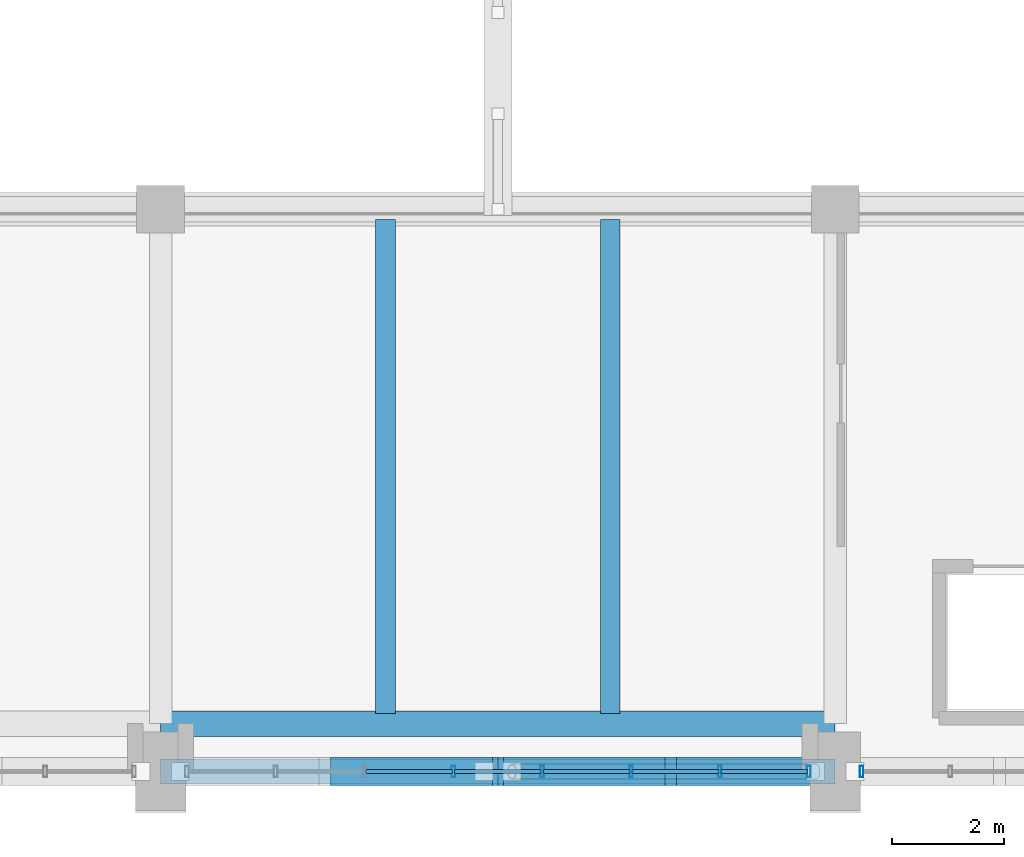
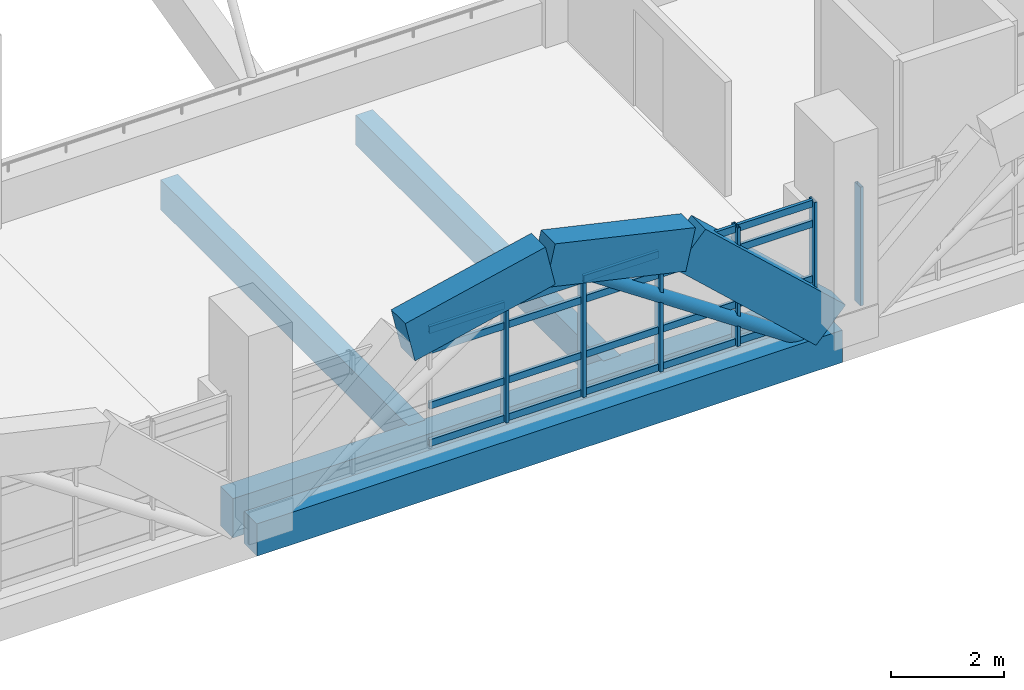
# One storey, part 36 of 161: 27 members, 7 beams, 2 elements without a shape of their own.
"""IFC4 building model written with IfcOpenShell, lengths in metres."""

from ifc_helpers import new_model, si_unit, direction, frame, origin, origin_2d, place, context, subcontext, project, spatial, rectangle, hollow_rectangle, hollow_circle, extrude, material, layer, layer_set, material_profile, profile_set, type_object, element, aggregate, save


model = new_model("IFC4")

# Units and contexts
model_context = context("Model", 3, precision=1e-05, world=origin(), true_north=direction((0.0, 1.0)))
body_context = subcontext(model_context, "Body", "Model", "MODEL_VIEW")
ifc_project = project(units=[si_unit("LENGTHUNIT", "METRE"), si_unit("AREAUNIT", "SQUARE_METRE"), si_unit("VOLUMEUNIT", "CUBIC_METRE"), si_unit("PLANEANGLEUNIT", "RADIAN"), si_unit("MASSUNIT", "GRAM", prefix="KILO")], contexts=[model_context])

# Site, building, storey
site_placement = place(None, origin())
site = spatial("IfcSite", under=ifc_project, at=site_placement, CompositionType="ELEMENT")
building_placement = place(site_placement, origin())
building = spatial("IfcBuilding", under=site, at=building_placement, Name="Mersad Railyard Sports Hall", CompositionType="ELEMENT")
storey_placement = place(building_placement, frame((0.0, 0.0, 4.800048828125)))
storey = spatial("IfcBuildingStorey", under=building, at=storey_placement, Name="L01", CompositionType="ELEMENT", Elevation=4.800048828125)

# Curtain wall, members
ifc_material_1 = material(Name="Aluminium 6063-T6", Category="aluminium")
ifc_layer = layer(ifc_material_1, 0.199951171875)
ifc_layer_set = layer_set([ifc_layer], Name="Aluminium 6063-T6")
curtain_wall_type = type_object("IfcCurtainWallType", Name="ARC-CW-CW02", PredefinedType="USERDEFINED", material=ifc_layer_set)
curtain_wall_1_placement = place(storey_placement, origin())
curtain_wall_1 = element("IfcCurtainWall", 1, at=curtain_wall_1_placement, inside=storey, type_object=curtain_wall_type, Name="Curtain wall CW02-0017", ObjectType="CURTAIN WALL", PredefinedType="USERDEFINED")
ifc_material_profile_1 = material_profile(ifc_material_1, hollow_rectangle(XDim=0.06494140625, YDim=0.199951171875, WallThickness=0.0048828125, at=origin_2d()), Name="AL MULLION 65x200x5")
ifc_profile_set_1 = profile_set([ifc_material_profile_1], Name="Aluminium 6063-T6")
member_type_1 = type_object("IfcMemberType", Name="ARC-CW-MUL02", PredefinedType="MULLION", material=ifc_profile_set_1)
member_1_placement = place(storey_placement, frame((78.530029296875, 3.5, -0.02001953125), z_axis=(0.0, 0.0, 1.0), x_axis=(1.0, 0.0, 0.0)))
member_1 = element("IfcMember", 2, at=member_1_placement, type_object=member_type_1, Name="CW02 Mullion 1", PredefinedType="MULLION", context=body_context, shape_type="SweptSolid", body=[
    extrude(hollow_rectangle(XDim=0.06494140625, YDim=0.199951171875, WallThickness=0.0048828125, at=origin_2d()), origin(), (0.0, 0.0, 1.0), 2.570068359375),
])
member_2_placement = place(storey_placement, frame((76.949951171875, 3.5, -0.02001953125), z_axis=(0.0, 0.0, 1.0), x_axis=(1.0, 0.0, 0.0)))
member_2 = element("IfcMember", 3, at=member_2_placement, type_object=member_type_1, Name="CW02 Mullion 2", PredefinedType="MULLION", context=body_context, shape_type="SweptSolid", body=[
    extrude(hollow_rectangle(XDim=0.06494140625, YDim=0.199951171875, WallThickness=0.0048828125, at=origin_2d()), origin(), (0.0, 0.0, 1.0), 2.570068359375),
])
member_3_placement = place(storey_placement, frame((75.3701171875, 3.5, -0.02001953125), z_axis=(0.0, 0.0, 1.0), x_axis=(1.0, 0.0, 0.0)))
member_3 = element("IfcMember", 4, at=member_3_placement, type_object=member_type_1, Name="CW02 Mullion 3", PredefinedType="MULLION", context=body_context, shape_type="SweptSolid", body=[
    extrude(hollow_rectangle(XDim=0.06494140625, YDim=0.199951171875, WallThickness=0.0048828125, at=origin_2d()), origin(), (0.0, 0.0, 1.0), 2.570068359375),
])
member_4_placement = place(storey_placement, frame((73.7900390625, 3.5, -0.02001953125), z_axis=(0.0, 0.0, 1.0), x_axis=(1.0, 0.0, 0.0)))
member_4 = element("IfcMember", 5, at=member_4_placement, type_object=member_type_1, Name="CW02 Mullion 4", PredefinedType="MULLION", context=body_context, shape_type="SweptSolid", body=[
    extrude(hollow_rectangle(XDim=0.06494140625, YDim=0.199951171875, WallThickness=0.0048828125, at=origin_2d()), origin(), (0.0, 0.0, 1.0), 2.570068359375),
])
member_5_placement = place(storey_placement, frame((72.2099609375, 3.5, -0.02001953125), z_axis=(0.0, 0.0, 1.0), x_axis=(1.0, 0.0, 0.0)))
member_5 = element("IfcMember", 6, at=member_5_placement, type_object=member_type_1, Name="CW02 Mullion 5", PredefinedType="MULLION", context=body_context, shape_type="SweptSolid", body=[
    extrude(hollow_rectangle(XDim=0.06494140625, YDim=0.199951171875, WallThickness=0.0048828125, at=origin_2d()), origin(), (0.0, 0.0, 1.0), 2.570068359375),
])

# Curtain wall, member
curtain_wall_2_placement = place(storey_placement, origin())
curtain_wall_2 = element("IfcCurtainWall", 7, at=curtain_wall_2_placement, inside=storey, type_object=curtain_wall_type, Name="Curtain wall CW02-0020", ObjectType="CURTAIN WALL", PredefinedType="USERDEFINED")
member_6_placement = place(storey_placement, frame((79.469970703125, 3.5, -0.02001953125), z_axis=(0.0, 0.0, 1.0), x_axis=(1.0, 0.0, 0.0)))
member_6 = element("IfcMember", 8, at=member_6_placement, type_object=member_type_1, Name="CW02 Mullion 8", PredefinedType="MULLION", context=body_context, shape_type="SweptSolid", body=[
    extrude(hollow_rectangle(XDim=0.06494140625, YDim=0.199951171875, WallThickness=0.0048828125, at=origin_2d()), origin(), (0.0, 0.0, 1.0), 2.570068359375),
])
aggregate(curtain_wall_2, [member_6])

# Member
ifc_material_profile_2 = material_profile(ifc_material_1, hollow_rectangle(XDim=0.06494140625, YDim=0.14990234375, WallThickness=0.00439453125, at=origin_2d()), Name="AL TRANSOM 65x150x4.5")
ifc_profile_set_2 = profile_set([ifc_material_profile_2], Name="Aluminium 6063-T6")
member_type_2 = type_object("IfcMemberType", Name="ARC-CW-TRN02", PredefinedType="USERDEFINED", material=ifc_profile_set_2)
member_7_placement = place(storey_placement, frame((78.510009765625, 3.5, 0.0400390625), z_axis=(-1.0, 0.0, 0.0), x_axis=(0.0, -1.0, 0.0)))
member_7 = element("IfcMember", 9, at=member_7_placement, type_object=member_type_2, Name="CW02 Transom 1-1", ObjectType="TRANSOM", PredefinedType="USERDEFINED", context=body_context, shape_type="SweptSolid", body=[
    extrude(hollow_rectangle(XDim=0.06494140625, YDim=0.14990234375, WallThickness=0.00439453125, at=origin_2d()), origin(), (0.0, 0.0, 1.0), 1.5400390625),
])

member_8_placement = place(storey_placement, frame((76.929931640625, 3.5, 0.0400390625), z_axis=(-1.0, 0.0, 0.0), x_axis=(0.0, -1.0, 0.0)))
member_8 = element("IfcMember", 10, at=member_8_placement, type_object=member_type_2, Name="CW02 Transom 1-2", ObjectType="TRANSOM", PredefinedType="USERDEFINED", context=body_context, shape_type="SweptSolid", body=[
    extrude(hollow_rectangle(XDim=0.06494140625, YDim=0.14990234375, WallThickness=0.00439453125, at=origin_2d()), origin(), (0.0, 0.0, 1.0), 1.5400390625),
])

member_9_placement = place(storey_placement, frame((75.35009765625, 3.5, 0.0400390625), z_axis=(-1.0, 0.0, 0.0), x_axis=(0.0, -1.0, 0.0)))
member_9 = element("IfcMember", 11, at=member_9_placement, type_object=member_type_2, Name="CW02 Transom 1-3", ObjectType="TRANSOM", PredefinedType="USERDEFINED", context=body_context, shape_type="SweptSolid", body=[
    extrude(hollow_rectangle(XDim=0.06494140625, YDim=0.14990234375, WallThickness=0.00439453125, at=origin_2d()), origin(), (0.0, 0.0, 1.0), 1.5400390625),
])

member_10_placement = place(storey_placement, frame((73.77001953125, 3.5, 0.0400390625), z_axis=(-1.0, 0.0, 0.0), x_axis=(0.0, -1.0, 0.0)))
member_10 = element("IfcMember", 12, at=member_10_placement, type_object=member_type_2, Name="CW02 Transom 1-4", ObjectType="TRANSOM", PredefinedType="USERDEFINED", context=body_context, shape_type="SweptSolid", body=[
    extrude(hollow_rectangle(XDim=0.06494140625, YDim=0.14990234375, WallThickness=0.00439453125, at=origin_2d()), origin(), (0.0, 0.0, 1.0), 1.5400390625),
])

member_11_placement = place(storey_placement, frame((72.18994140625, 3.5, 0.0400390625), z_axis=(-1.0, 0.0, 0.0), x_axis=(0.0, -1.0, 0.0)))
member_11 = element("IfcMember", 13, at=member_11_placement, type_object=member_type_2, Name="CW02 Transom 1-5", ObjectType="TRANSOM", PredefinedType="USERDEFINED", context=body_context, shape_type="SweptSolid", body=[
    extrude(hollow_rectangle(XDim=0.06494140625, YDim=0.14990234375, WallThickness=0.00439453125, at=origin_2d()), origin(), (0.0, 0.0, 1.0), 1.5400390625),
])

member_12_placement = place(storey_placement, frame((78.510009765625, 3.5, 0.849853515625), z_axis=(-1.0, 0.0, 0.0), x_axis=(0.0, -1.0, 0.0)))
member_12 = element("IfcMember", 14, at=member_12_placement, type_object=member_type_2, Name="CW02 Transom 2-1", ObjectType="TRANSOM", PredefinedType="USERDEFINED", context=body_context, shape_type="SweptSolid", body=[
    extrude(hollow_rectangle(XDim=0.06494140625, YDim=0.14990234375, WallThickness=0.00439453125, at=origin_2d()), origin(), (0.0, 0.0, 1.0), 1.5400390625),
])

member_13_placement = place(storey_placement, frame((76.929931640625, 3.5, 0.849853515625), z_axis=(-1.0, 0.0, 0.0), x_axis=(0.0, -1.0, 0.0)))
member_13 = element("IfcMember", 15, at=member_13_placement, type_object=member_type_2, Name="CW02 Transom 2-2", ObjectType="TRANSOM", PredefinedType="USERDEFINED", context=body_context, shape_type="SweptSolid", body=[
    extrude(hollow_rectangle(XDim=0.06494140625, YDim=0.14990234375, WallThickness=0.00439453125, at=origin_2d()), origin(), (0.0, 0.0, 1.0), 1.5400390625),
])

member_14_placement = place(storey_placement, frame((75.35009765625, 3.5, 0.849853515625), z_axis=(-1.0, 0.0, 0.0), x_axis=(0.0, -1.0, 0.0)))
member_14 = element("IfcMember", 16, at=member_14_placement, type_object=member_type_2, Name="CW02 Transom 2-3", ObjectType="TRANSOM", PredefinedType="USERDEFINED", context=body_context, shape_type="SweptSolid", body=[
    extrude(hollow_rectangle(XDim=0.06494140625, YDim=0.14990234375, WallThickness=0.00439453125, at=origin_2d()), origin(), (0.0, 0.0, 1.0), 1.5400390625),
])

member_15_placement = place(storey_placement, frame((73.77001953125, 3.5, 0.849853515625), z_axis=(-1.0, 0.0, 0.0), x_axis=(0.0, -1.0, 0.0)))
member_15 = element("IfcMember", 17, at=member_15_placement, type_object=member_type_2, Name="CW02 Transom 2-4", ObjectType="TRANSOM", PredefinedType="USERDEFINED", context=body_context, shape_type="SweptSolid", body=[
    extrude(hollow_rectangle(XDim=0.06494140625, YDim=0.14990234375, WallThickness=0.00439453125, at=origin_2d()), origin(), (0.0, 0.0, 1.0), 1.5400390625),
])

member_16_placement = place(storey_placement, frame((72.18994140625, 3.5, 0.849853515625), z_axis=(-1.0, 0.0, 0.0), x_axis=(0.0, -1.0, 0.0)))
member_16 = element("IfcMember", 18, at=member_16_placement, type_object=member_type_2, Name="CW02 Transom 2-5", ObjectType="TRANSOM", PredefinedType="USERDEFINED", context=body_context, shape_type="SweptSolid", body=[
    extrude(hollow_rectangle(XDim=0.06494140625, YDim=0.14990234375, WallThickness=0.00439453125, at=origin_2d()), origin(), (0.0, 0.0, 1.0), 1.5400390625),
])

member_17_placement = place(storey_placement, frame((78.510009765625, 3.5, 2.050048828125), z_axis=(-1.0, 0.0, 0.0), x_axis=(0.0, -1.0, 0.0)))
member_17 = element("IfcMember", 19, at=member_17_placement, type_object=member_type_2, Name="CW02 Transom 3-1", ObjectType="TRANSOM", PredefinedType="USERDEFINED", context=body_context, shape_type="SweptSolid", body=[
    extrude(hollow_rectangle(XDim=0.06494140625, YDim=0.14990234375, WallThickness=0.00439453125, at=origin_2d()), origin(), (0.0, 0.0, 1.0), 1.5400390625),
])

member_18_placement = place(storey_placement, frame((76.929931640625, 3.5, 2.050048828125), z_axis=(-1.0, 0.0, 0.0), x_axis=(0.0, -1.0, 0.0)))
member_18 = element("IfcMember", 20, at=member_18_placement, type_object=member_type_2, Name="CW02 Transom 3-2", ObjectType="TRANSOM", PredefinedType="USERDEFINED", context=body_context, shape_type="SweptSolid", body=[
    extrude(hollow_rectangle(XDim=0.06494140625, YDim=0.14990234375, WallThickness=0.00439453125, at=origin_2d()), origin(), (0.0, 0.0, 1.0), 1.5400390625),
])

member_19_placement = place(storey_placement, frame((75.35009765625, 3.5, 2.050048828125), z_axis=(-1.0, 0.0, 0.0), x_axis=(0.0, -1.0, 0.0)))
member_19 = element("IfcMember", 21, at=member_19_placement, type_object=member_type_2, Name="CW02 Transom 3-3", ObjectType="TRANSOM", PredefinedType="USERDEFINED", context=body_context, shape_type="SweptSolid", body=[
    extrude(hollow_rectangle(XDim=0.06494140625, YDim=0.14990234375, WallThickness=0.00439453125, at=origin_2d()), origin(), (0.0, 0.0, 1.0), 1.5400390625),
])

member_20_placement = place(storey_placement, frame((73.77001953125, 3.5, 2.050048828125), z_axis=(-1.0, 0.0, 0.0), x_axis=(0.0, -1.0, 0.0)))
member_20 = element("IfcMember", 22, at=member_20_placement, type_object=member_type_2, Name="CW02 Transom 3-4", ObjectType="TRANSOM", PredefinedType="USERDEFINED", context=body_context, shape_type="SweptSolid", body=[
    extrude(hollow_rectangle(XDim=0.06494140625, YDim=0.14990234375, WallThickness=0.00439453125, at=origin_2d()), origin(), (0.0, 0.0, 1.0), 1.5400390625),
])

member_21_placement = place(storey_placement, frame((72.18994140625, 3.5, 2.050048828125), z_axis=(-1.0, 0.0, 0.0), x_axis=(0.0, -1.0, 0.0)))
member_21 = element("IfcMember", 23, at=member_21_placement, type_object=member_type_2, Name="CW02 Transom 3-5", ObjectType="TRANSOM", PredefinedType="USERDEFINED", context=body_context, shape_type="SweptSolid", body=[
    extrude(hollow_rectangle(XDim=0.06494140625, YDim=0.14990234375, WallThickness=0.00439453125, at=origin_2d()), origin(), (0.0, 0.0, 1.0), 1.5400390625),
])

member_22_placement = place(storey_placement, frame((78.510009765625, 3.5, 2.489990234375), z_axis=(-1.0, 0.0, 0.0), x_axis=(0.0, -1.0, 0.0)))
member_22 = element("IfcMember", 24, at=member_22_placement, type_object=member_type_2, Name="CW02 Transom 4-1", ObjectType="TRANSOM", PredefinedType="USERDEFINED", context=body_context, shape_type="SweptSolid", body=[
    extrude(hollow_rectangle(XDim=0.06494140625, YDim=0.14990234375, WallThickness=0.00439453125, at=origin_2d()), origin(), (0.0, 0.0, 1.0), 1.5400390625),
])

member_23_placement = place(storey_placement, frame((76.929931640625, 3.5, 2.489990234375), z_axis=(-1.0, 0.0, 0.0), x_axis=(0.0, -1.0, 0.0)))
member_23 = element("IfcMember", 25, at=member_23_placement, type_object=member_type_2, Name="CW02 Transom 4-2", ObjectType="TRANSOM", PredefinedType="USERDEFINED", context=body_context, shape_type="SweptSolid", body=[
    extrude(hollow_rectangle(XDim=0.06494140625, YDim=0.14990234375, WallThickness=0.00439453125, at=origin_2d()), origin(), (0.0, 0.0, 1.0), 1.5400390625),
])

member_24_placement = place(storey_placement, frame((75.35009765625, 3.5, 2.489990234375), z_axis=(-1.0, 0.0, 0.0), x_axis=(0.0, -1.0, 0.0)))
member_24 = element("IfcMember", 26, at=member_24_placement, type_object=member_type_2, Name="CW02 Transom 4-3", ObjectType="TRANSOM", PredefinedType="USERDEFINED", context=body_context, shape_type="SweptSolid", body=[
    extrude(hollow_rectangle(XDim=0.06494140625, YDim=0.14990234375, WallThickness=0.00439453125, at=origin_2d()), origin(), (0.0, 0.0, 1.0), 1.5400390625),
])

member_25_placement = place(storey_placement, frame((73.77001953125, 3.5, 2.489990234375), z_axis=(-1.0, 0.0, 0.0), x_axis=(0.0, -1.0, 0.0)))
member_25 = element("IfcMember", 27, at=member_25_placement, type_object=member_type_2, Name="CW02 Transom 4-4", ObjectType="TRANSOM", PredefinedType="USERDEFINED", context=body_context, shape_type="SweptSolid", body=[
    extrude(hollow_rectangle(XDim=0.06494140625, YDim=0.14990234375, WallThickness=0.00439453125, at=origin_2d()), origin(), (0.0, 0.0, 1.0), 1.5400390625),
])

member_26_placement = place(storey_placement, frame((72.18994140625, 3.5, 2.489990234375), z_axis=(-1.0, 0.0, 0.0), x_axis=(0.0, -1.0, 0.0)))
member_26 = element("IfcMember", 28, at=member_26_placement, type_object=member_type_2, Name="CW02 Transom 4-5", ObjectType="TRANSOM", PredefinedType="USERDEFINED", context=body_context, shape_type="SweptSolid", body=[
    extrude(hollow_rectangle(XDim=0.06494140625, YDim=0.14990234375, WallThickness=0.00439453125, at=origin_2d()), origin(), (0.0, 0.0, 1.0), 1.5400390625),
])

aggregate(curtain_wall_1, [member_1, member_2, member_3, member_4, member_5, member_7, member_8, member_9, member_10, member_11, member_12, member_13, member_14, member_15, member_16, member_17, member_18, member_19, member_20, member_21, member_22, member_23, member_24, member_25, member_26])

# Beams
ifc_material_2 = material(Name="Concrete C40/50", Category="concrete")
ifc_material_profile_3 = material_profile(ifc_material_2, rectangle(XDim=0.449951171875, YDim=0.85009765625, at=origin_2d()), Name="RC 450x850")
ifc_profile_set_3 = profile_set([ifc_material_profile_3], Name="Concrete C40/50")
beam_type_1 = type_object("IfcBeamType", Name="STR-BM-B02", PredefinedType="BEAM", material=ifc_profile_set_3)
beam_1_placement = place(storey_placement, frame((67.0, 4.35009765625, -0.705078125), z_axis=(1.0, 0.0, 0.0), x_axis=(0.0, 1.0, 0.0)))
element("IfcBeam", 29, at=beam_1_placement, inside=storey, type_object=beam_type_1, Name="Beam B02-0288", PredefinedType="BEAM", context=body_context, shape_type="SweptSolid", body=[
    extrude(rectangle(XDim=0.449951171875, YDim=0.85009765625, at=origin_2d()), origin(), (0.0, 0.0, 1.0), 12.0),
])
ifc_material_profile_4 = material_profile(ifc_material_2, rectangle(XDim=0.35009765625, YDim=0.64990234375, at=origin_2d()), Name="RC 350x650")
ifc_profile_set_4 = profile_set([ifc_material_profile_4], Name="Concrete C40/50")
beam_type_2 = type_object("IfcBeamType", Name="STR-BM-J01", PredefinedType="JOIST", material=ifc_profile_set_4)
for number, where, z_axis, x_axis, name in (
    (30, (71.0, 4.530029296875, -0.60498046875), (0.0, 1.0, 0.0), (-1.0, 0.0, 0.0), "Beam J01-0402"),
    (31, (75.0, 4.530029296875, -0.60498046875), (0.0, 1.0, 0.0), (-1.0, 0.0, 0.0), "Beam J01-0403"),
):
    element("IfcBeam", number, at=place(storey_placement, frame(where, z_axis=z_axis, x_axis=x_axis)), inside=storey, type_object=beam_type_2, Name=name, PredefinedType="JOIST", context=body_context, shape_type="SweptSolid", body=[
        extrude(rectangle(XDim=0.35009765625, YDim=0.64990234375, at=origin_2d()), origin(), (0.0, 0.0, 1.0), 8.7900390625),
    ])
ifc_material_3 = material(Name="Architectural concrete C40/50", Category="concrete")
ifc_material_profile_5 = material_profile(ifc_material_3, rectangle(XDim=0.449951171875, YDim=0.699951171875, at=origin_2d()), Name="RC 450x700")
ifc_profile_set_5 = profile_set([ifc_material_profile_5], Name="Architectural concrete C40/50")
beam_type_3 = type_object("IfcBeamType", Name="STR-BM-SP01", PredefinedType="SPANDREL", material=ifc_profile_set_5)
beam_2_placement = place(storey_placement, frame((67.0, 3.5, -0.66015625), z_axis=(1.0, 0.0, 0.0), x_axis=(0.0, 1.0, 0.0)))
element("IfcBeam", 32, at=beam_2_placement, inside=storey, type_object=beam_type_3, Name="Beam SP01-0374", PredefinedType="SPANDREL", context=body_context, shape_type="SweptSolid", body=[
    extrude(rectangle(XDim=0.449951171875, YDim=0.699951171875, at=origin_2d()), origin(), (0.0, 0.0, 1.0), 12.0),
])
ifc_material_4 = material(Name="Architectural concrete C50/60", Category="concrete")
ifc_material_profile_6 = material_profile(ifc_material_4, rectangle(XDim=0.5, YDim=0.89990234375, at=origin_2d()), Name="VR 500x900")
ifc_profile_set_6 = profile_set([ifc_material_profile_6], Name="Architectural concrete C50/60")
beam_type_4 = type_object("IfcBeamType", Name="STR-BM-VR02", PredefinedType="BEAM", material=ifc_profile_set_6)
for number, where, z_axis, x_axis, name in (
    (33, (70.125, 3.5, 2.54736328125), (0.97519301708, 0.0, 0.221356227467), (0.0, 1.0, 0.0), "Beam VR02-0378"),
    (34, (73.0, 3.5, 3.199951171875), (0.97519301708, 0.0, -0.221356227467), (0.0, 1.0, 0.0), "Beam VR02-0380"),
):
    element("IfcBeam", number, at=place(storey_placement, frame(where, z_axis=z_axis, x_axis=x_axis)), inside=storey, type_object=beam_type_4, Name=name, PredefinedType="BEAM", context=body_context, shape_type="SweptSolid", body=[
        extrude(rectangle(XDim=0.5, YDim=0.89990234375, at=origin_2d()), origin(), (0.0, 0.0, 1.0), 2.9482421875),
    ])
beam_3_placement = place(storey_placement, frame((75.875, 3.5, 2.54736328125), z_axis=(0.735617187873, 0.0, -0.677397485164), x_axis=(0.0, 1.0, 0.0)))
element("IfcBeam", 35, at=beam_3_placement, inside=storey, type_object=beam_type_4, Name="Beam VR02-0382", PredefinedType="BEAM", context=body_context, shape_type="SweptSolid", body=[
    extrude(rectangle(XDim=0.5, YDim=0.89990234375, at=origin_2d()), origin(), (0.0, 0.0, 1.0), 3.908203125),
])

# Member
ifc_material_5 = material(Name="Steel S355", Category="steel")
ifc_material_profile_7 = material_profile(ifc_material_5, hollow_circle(Radius=0.136474609375, WallThickness=0.012451171875, at=origin_2d()), Name="CHS 273x12.5")
ifc_profile_set_7 = profile_set([ifc_material_profile_7], Name="Steel S355")
member_type_3 = type_object("IfcMemberType", Name="STR-MEM-BR02", PredefinedType="BRACE", material=ifc_profile_set_7)
member_27_placement = place(storey_placement, frame((78.64990234375, 3.5, -0.6201171875), z_axis=(-0.829190125257, 0.0, 0.558966668215), x_axis=(0.0, -1.0, 0.0)))
element("IfcMember", 36, at=member_27_placement, inside=storey, type_object=member_type_3, Name="Structural member BR02-0022", PredefinedType="BRACE", context=body_context, shape_type="SweptSolid", body=[
    extrude(hollow_circle(Radius=0.136474609375, WallThickness=0.012451171875, at=origin_2d()), origin(), (0.0, 0.0, 1.0), 6.51220703125),
])

save(model, "model.ifc")
